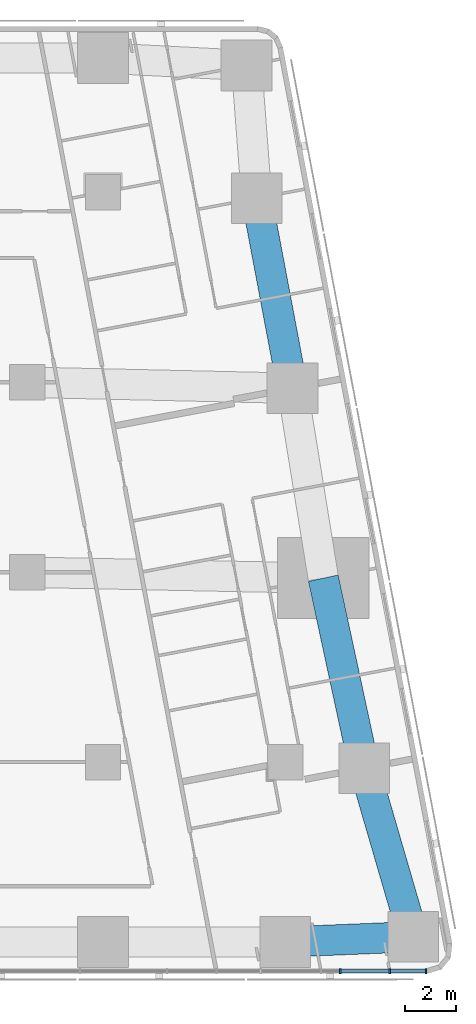
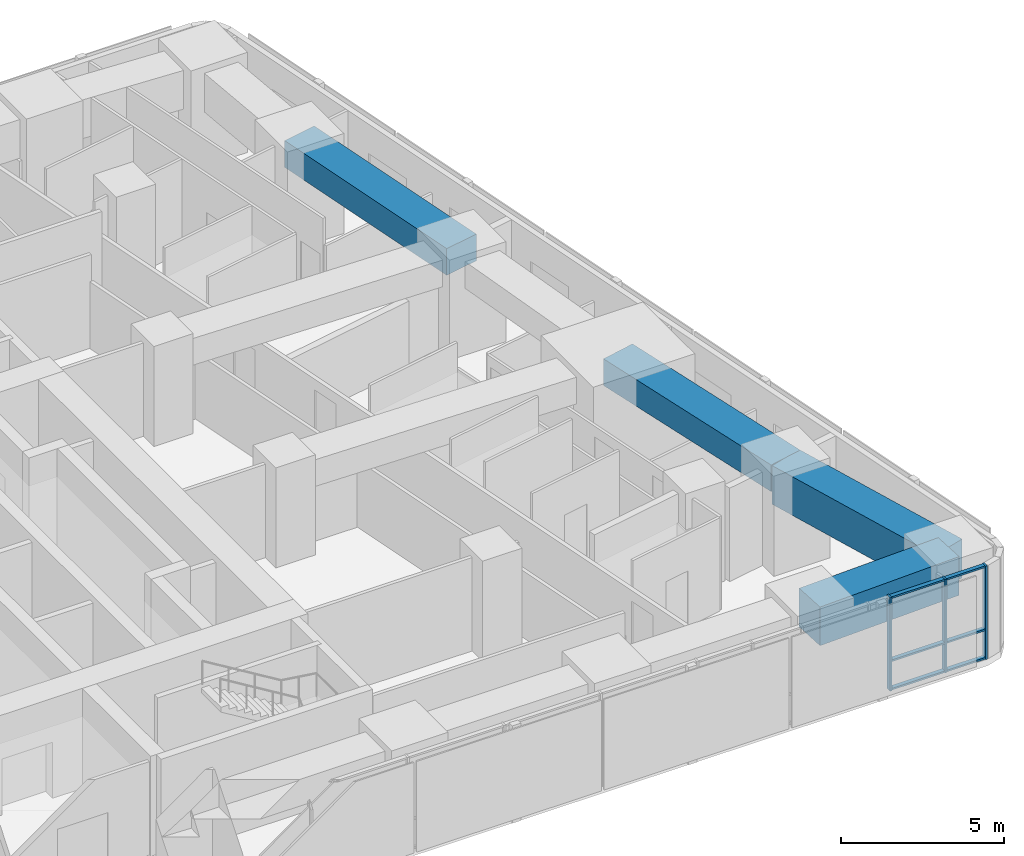
# One storey, part 3 of 11: 9 members, 4 beams, 1 element without a shape of its own.
"""IFC4 building model written with IfcOpenShell, lengths in metres."""

import ifcopenshell
import ifcopenshell.guid

model = None  # the IFC model being written
_history = None  # IfcOwnerHistory: only IFC2X3 demands one
_inside = {}  # id of a spatial element -> (the spatial element, [elements in it])
_under = {}  # id of a project, library or spatial element -> (it, [spatial elements below it])
_declared = {}  # id of a project -> (the project, [libraries it declares])
_typed = {}  # id of a type object -> (the type object, [elements of that type])
_made_of = {}  # id of a material, layer set ... -> (it, [elements and type objects made of it])


def new_model(schema):
    """Start an empty IFC model of exactly this schema.

    Asked for "IFC4X3", IfcOpenShell would pick the latest addendum, in which some entities
    have other attributes; the version numbers below select the first issue.
    IFC2X3 requires an IfcOwnerHistory on every rooted entity: one is made here for all.
    """
    global model, _history
    if schema == "IFC4X3":
        model = ifcopenshell.file(schema_version=(4, 3, 0, 0))
    else:
        model = ifcopenshell.file(schema=schema)
    _inside.clear()
    _under.clear()
    _declared.clear()
    _typed.clear()
    _made_of.clear()
    _history = None
    if model.schema == "IFC2X3":
        org = make("IfcOrganization", Name="unknown")
        user = make(
            "IfcPersonAndOrganization",
            ThePerson=make("IfcPerson", FamilyName="unknown"),
            TheOrganization=org,
        )
        app = make(
            "IfcApplication",
            ApplicationDeveloper=org,
            Version="unknown",
            ApplicationFullName="unknown",
            ApplicationIdentifier="unknown",
        )
        _history = make(
            "IfcOwnerHistory",
            OwningUser=user,
            OwningApplication=app,
            ChangeAction="ADDED",
            CreationDate=0,
        )
    return model


def make(cls, **values):
    """One entity of the class cls with the attributes given. An attribute that is None is left unset."""
    return model.create_entity(
        cls, **{name: value for name, value in values.items() if value is not None}
    )


def rooted(cls, **values):
    """An entity with a GlobalId (a new one), such as an element, a storey or a relation."""
    return make(cls, GlobalId=ifcopenshell.guid.new(), OwnerHistory=_history, **values)


def si_unit(unit_type, name, prefix=None):
    """IfcSIUnit, for example si_unit("LENGTHUNIT", "METRE", prefix="MILLI")."""
    return make("IfcSIUnit", UnitType=unit_type, Prefix=prefix, Name=name)


def assignment(units):
    """IfcUnitAssignment: the units of a project."""
    return None if units is None else make("IfcUnitAssignment", Units=units)


def point(xyz):
    """IfcCartesianPoint."""
    return None if xyz is None else make("IfcCartesianPoint", Coordinates=xyz)


def direction(xyz):
    """IfcDirection."""
    return None if xyz is None else make("IfcDirection", DirectionRatios=xyz)


def frame(location, z_axis=None, x_axis=None):
    """IfcAxis2Placement3D, a coordinate frame: its origin and axes. An axis left out is left unset."""
    return make(
        "IfcAxis2Placement3D",
        Location=point(location),
        Axis=direction(z_axis),
        RefDirection=direction(x_axis),
    )


def frame_2d(location, x_axis=None):
    """IfcAxis2Placement2D, a coordinate frame in the plane: its origin and x axis."""
    return make(
        "IfcAxis2Placement2D", Location=point(location), RefDirection=direction(x_axis)
    )


def origin():
    """The frame at (0, 0, 0) with its axes left unset."""
    return frame((0.0, 0.0, 0.0))


def origin_2d():
    """The frame at (0, 0) in the plane with its x axis left unset."""
    return frame_2d((0.0, 0.0))


def place(relative_to, where):
    """IfcLocalPlacement: puts the frame where relative to a parent placement (None: the world)."""
    return make(
        "IfcLocalPlacement", PlacementRelTo=relative_to, RelativePlacement=where
    )


def context(
    kind, dimensions, precision=None, world=None, true_north=None, identifier=None
):
    """IfcGeometricRepresentationContext, for example the 3D "Model" context."""
    return make(
        "IfcGeometricRepresentationContext",
        ContextIdentifier=identifier,
        ContextType=kind,
        CoordinateSpaceDimension=dimensions,
        Precision=precision,
        WorldCoordinateSystem=world,
        TrueNorth=true_north,
    )


def subcontext(parent, identifier, kind, view, scale=None):
    """IfcGeometricRepresentationSubContext, for example "Body" below "Model"."""
    return make(
        "IfcGeometricRepresentationSubContext",
        ContextIdentifier=identifier,
        ContextType=kind,
        ParentContext=parent,
        TargetScale=scale,
        TargetView=view,
    )


def project(units=None, contexts=None):
    """IfcProject with its units and contexts."""
    return rooted(
        "IfcProject",
        Name="project",
        RepresentationContexts=contexts,
        UnitsInContext=assignment(units),
    )


def spatial(cls, under=None, at=None, **own):
    """A site, building, storey or space (cls), placed at a placement, below another one or the project."""
    s = rooted(cls, ObjectPlacement=at, **own)
    if under is not None:
        _under.setdefault(under.id(), (under, []))[1].append(s)
    return s


def profile(cls, at=None, kind="AREA", **sizes):
    """A parametric profile (cls). Its sizes go by their IFC names, for example OverallWidth=200.0."""
    return make(cls, ProfileType=kind, Position=at, **sizes)


def rectangle(**sizes):
    """IfcRectangleProfileDef."""
    return profile("IfcRectangleProfileDef", **sizes)


def extrude(swept, where, along, depth):
    """IfcExtrudedAreaSolid: the profile swept, set in the frame where, extruded along a direction by depth."""
    return make(
        "IfcExtrudedAreaSolid",
        SweptArea=swept,
        Position=where,
        ExtrudedDirection=direction(along),
        Depth=depth,
    )


def shape(context_of_items, identifier, shape_type, items):
    """IfcShapeRepresentation: the items that make up one representation, for example the "Body"."""
    return make(
        "IfcShapeRepresentation",
        ContextOfItems=context_of_items,
        RepresentationIdentifier=identifier,
        RepresentationType=shape_type,
        Items=items,
    )


def material(Name=None, Category=None):
    """IfcMaterial."""
    return make("IfcMaterial", Name=Name, Category=Category)


def material_profile(
    of_material, cross_section, Name=None, Category=None, Priority=None
):
    """IfcMaterialProfile: a cross section and its material."""
    return make(
        "IfcMaterialProfile",
        Name=Name,
        Material=of_material,
        Profile=cross_section,
        Priority=Priority,
        Category=Category,
    )


def profile_set(profiles, Name=None, composite=None):
    """IfcMaterialProfileSet."""
    return make(
        "IfcMaterialProfileSet",
        Name=Name,
        MaterialProfiles=profiles,
        CompositeProfile=composite,
    )


def made_of(thing, what):
    """Note that an element or type object is made of a material, layer set ...; save() writes the relation."""
    if what is not None:
        _made_of.setdefault(what.id(), (what, []))[1].append(thing)
    return thing


def type_object(cls, material=None, **own):
    """A type object (cls), such as IfcWallType, which elements share."""
    return made_of(rooted(cls, **own), material)


def element(
    cls,
    number,
    at=None,
    inside=None,
    cuts=None,
    type_object=None,
    material=None,
    context=None,
    identifier="Body",
    shape_type=None,
    held_by="IfcProductDefinitionShape",
    body=None,
    shapes=None,
    **own,
):
    """One element of the class cls, such as IfcWall. Its Tag is "e" and its number.

    at: its placement. inside: the storey or other place that contains it. cuts: it is an
    opening in that element (IfcRelVoidsElement). A single representation is given by context,
    identifier, shape_type and body (its items); several are given by shapes. held_by: the class
    of the entity that holds the representations. save() writes the other relations.
    """
    e = rooted(cls, Tag="e%d" % number, ObjectPlacement=at, **own)
    if body is not None:
        shapes = [shape(context, identifier, shape_type, body)]
    if shapes is not None:
        e.Representation = make(held_by, Representations=shapes)
    if inside is not None:
        _inside.setdefault(inside.id(), (inside, []))[1].append(e)
    if cuts is not None:
        rooted(
            "IfcRelVoidsElement", RelatingBuildingElement=cuts, RelatedOpeningElement=e
        )
    if type_object is not None:
        _typed.setdefault(type_object.id(), (type_object, []))[1].append(e)
    return made_of(e, material)


def aggregate(whole, parts):
    """IfcRelAggregates: a whole, such as a stair, and the parts it consists of."""
    return rooted("IfcRelAggregates", RelatingObject=whole, RelatedObjects=parts)


def save(model, path):
    """Write the relations noted so far, then the file.

    IfcRelAggregates (storeys below a building ...), IfcRelContainedInSpatialStructure (elements
    in a storey), IfcRelDefinesByType, IfcRelAssociatesMaterial and IfcRelDeclares: one each for
    every whole, place, type object, material and project.
    """
    for whole, parts in _under.values():
        aggregate(whole, parts)
    for where, things in _inside.values():
        rooted(
            "IfcRelContainedInSpatialStructure",
            RelatedElements=things,
            RelatingStructure=where,
        )
    for kind, things in _typed.values():
        rooted("IfcRelDefinesByType", RelatedObjects=things, RelatingType=kind)
    for what, things in _made_of.values():
        rooted("IfcRelAssociatesMaterial", RelatedObjects=things, RelatingMaterial=what)
    for by, libraries in _declared.values():
        rooted("IfcRelDeclares", RelatingContext=by, RelatedDefinitions=libraries)
    model.write(path)


model = new_model("IFC4")

# Units and contexts
model_context = context("Model", 3, precision=1e-05, world=origin(), true_north=direction((0.0, 1.0)))
body_context = subcontext(model_context, "Body", "Model", "MODEL_VIEW")
ifc_project = project(units=[si_unit("LENGTHUNIT", "METRE"), si_unit("AREAUNIT", "SQUARE_METRE"), si_unit("VOLUMEUNIT", "CUBIC_METRE"), si_unit("PLANEANGLEUNIT", "RADIAN"), si_unit("MASSUNIT", "GRAM", prefix="KILO")], contexts=[model_context])

# Site, building, storey
site_placement = place(None, origin())
site = spatial("IfcSite", under=ifc_project, at=site_placement, CompositionType="ELEMENT")
building_placement = place(site_placement, origin())
building = spatial("IfcBuilding", under=site, at=building_placement, Name="Sheger Commons Tower", CompositionType="ELEMENT")
storey_placement = place(building_placement, frame((0.0, 0.0, 274.10009765625)))
storey = spatial("IfcBuildingStorey", under=building, at=storey_placement, Name="L70", CompositionType="ELEMENT", Elevation=274.10009765625)

# Curtain wall, members
ifc_material_1 = material(Name="Black aluminium curtain wall, dark tinted glazing", Category="aluminium")
curtain_wall_type = type_object("IfcCurtainWallType", Name="CURTAIN WALL CW5 SOUTH GALLERY", PredefinedType="USERDEFINED", material=ifc_material_1)
curtain_wall_placement = place(storey_placement, origin())
curtain_wall = element("IfcCurtainWall", 1, at=curtain_wall_placement, inside=storey, type_object=curtain_wall_type, Name="Curtain Wall Cw5 South Gallery S1 L70", ObjectType="UNITISED CURTAIN WALL", PredefinedType="USERDEFINED")
ifc_material_2 = material(Name="Black anodised aluminium", Category="aluminium")
ifc_material_profile_1 = material_profile(ifc_material_2, rectangle(XDim=0.199951171875, YDim=0.06494140625, at=origin_2d()), Name="AL 65x200")
ifc_profile_set_1 = profile_set([ifc_material_profile_1], Name="Black anodised aluminium")
member_type_1 = type_object("IfcMemberType", Name="MULLION AL 65x200", PredefinedType="MULLION", material=ifc_profile_set_1)
member_1_placement = place(storey_placement, frame((45.364990234375, 6.75, 0.0), z_axis=(0.0, 0.0, 1.0), x_axis=(0.0, 1.0, 0.0)))
member_1 = element("IfcMember", 2, at=member_1_placement, type_object=member_type_1, Name="CW5 mullion 12", PredefinedType="MULLION", context=body_context, shape_type="SweptSolid", body=[
    extrude(rectangle(XDim=0.199951171875, YDim=0.06494140625, at=origin_2d()), origin(), (0.0, 0.0, 1.0), 3.5),
])
member_2_placement = place(storey_placement, frame((47.319091796875, 6.75, 0.0), z_axis=(0.0, 0.0, 1.0), x_axis=(0.0, 1.0, 0.0)))
member_2 = element("IfcMember", 3, at=member_2_placement, type_object=member_type_1, Name="CW5 mullion 13", PredefinedType="MULLION", context=body_context, shape_type="SweptSolid", body=[
    extrude(rectangle(XDim=0.199951171875, YDim=0.06494140625, at=origin_2d()), origin(), (0.0, 0.0, 1.0), 3.5),
])
member_3_placement = place(storey_placement, frame((48.75439453125, 6.75, 0.0), z_axis=(0.0, 0.0, 1.0), x_axis=(0.0, 1.0, 0.0)))
member_3 = element("IfcMember", 4, at=member_3_placement, type_object=member_type_1, Name="CW5 mullion 14", PredefinedType="MULLION", context=body_context, shape_type="SweptSolid", body=[
    extrude(rectangle(XDim=0.199951171875, YDim=0.06494140625, at=origin_2d()), origin(), (0.0, 0.0, 1.0), 3.5),
])

# Beams
ifc_material_3 = material(Name="Concrete C50/60", Category="concrete")
ifc_material_profile_2 = material_profile(ifc_material_3, rectangle(XDim=1.199951171875, YDim=1.0, at=origin_2d()), Name="RC 1200x1000")
ifc_profile_set_2 = profile_set([ifc_material_profile_2], Name="Concrete C50/60")
beam_type_1 = type_object("IfcBeamType", Name="SPANDREL RC 1200x1000", PredefinedType="SPANDREL", material=ifc_profile_set_2)
beam_1_placement = place(storey_placement, frame((46.31396484375, 14.762939453125, 3.0), z_axis=(-0.210750229323, 0.977539943348, 0.0), x_axis=(-0.977539943348, -0.210750229323, 0.0)))
element("IfcBeam", 5, at=beam_1_placement, inside=storey, type_object=beam_type_1, Name="Beam E/C-E/D under L71", PredefinedType="SPANDREL", context=body_context, shape_type="SweptSolid", body=[
    extrude(rectangle(XDim=1.199951171875, YDim=1.0, at=origin_2d()), origin(), (0.0, 0.0, 1.0), 7.67236328125),
])
beam_2_placement = place(storey_placement, frame((43.47998046875, 29.762939453125, 3.0), z_axis=(-0.18552441405, 0.982639655108, 0.0), x_axis=(-0.982639655108, -0.18552441405, 0.0)))
element("IfcBeam", 6, at=beam_2_placement, inside=storey, type_object=beam_type_1, Name="Beam E/E-E/F under L71", PredefinedType="SPANDREL", context=body_context, shape_type="SweptSolid", body=[
    extrude(rectangle(XDim=1.199951171875, YDim=1.0, at=origin_2d()), origin(), (0.0, 0.0, 1.0), 7.632568359375),
])
ifc_material_4 = material(Name="Concrete C50/60", Category="concrete")
ifc_material_profile_3 = material_profile(ifc_material_4, rectangle(XDim=1.199951171875, YDim=1.449951171875, at=origin_2d()), Name="RC 1200x1450")
ifc_profile_set_3 = profile_set([ifc_material_profile_3], Name="Concrete C50/60")
beam_type_2 = type_object("IfcBeamType", Name="SPANDREL RC 1200x1450", PredefinedType="SPANDREL", material=ifc_profile_set_3)
beam_3_placement = place(storey_placement, frame((43.199951171875, 7.89990234375, 2.77490234375), z_axis=(0.999161374218, 0.040945674641, 0.0), x_axis=(-0.040945674641, 0.999161374218, 0.0)))
element("IfcBeam", 7, at=beam_3_placement, inside=storey, type_object=beam_type_2, Name="Beam 7/B-E/B under L71", PredefinedType="SPANDREL", context=body_context, shape_type="SweptSolid", body=[
    extrude(rectangle(XDim=1.199951171875, YDim=1.449951171875, at=origin_2d()), origin(), (0.0, 0.0, 1.0), 5.05615234375),
])
beam_4_placement = place(storey_placement, frame((48.251953125, 8.10693359375, 2.77490234375), z_axis=(-0.279555048455, 0.960129665662, 0.0), x_axis=(-0.960129665662, -0.279555048455, 0.0)))
element("IfcBeam", 8, at=beam_4_placement, inside=storey, type_object=beam_type_2, Name="Beam E/B-E/C under L71", PredefinedType="SPANDREL", context=body_context, shape_type="SweptSolid", body=[
    extrude(rectangle(XDim=1.199951171875, YDim=1.449951171875, at=origin_2d()), origin(), (0.0, 0.0, 1.0), 6.932373046875),
])

# Member
ifc_material_5 = material(Name="Black anodised aluminium", Category="aluminium")
ifc_material_profile_4 = material_profile(ifc_material_5, rectangle(XDim=0.14990234375, YDim=0.06494140625, at=origin_2d()), Name="AL 65x150")
ifc_profile_set_4 = profile_set([ifc_material_profile_4], Name="Black anodised aluminium")
member_type_2 = type_object("IfcMemberType", Name="TRANSOM AL 65x150", PredefinedType="USERDEFINED", material=ifc_profile_set_4)
member_4_placement = place(storey_placement, frame((45.3974609375, 6.75, 0.032470703125), z_axis=(1.0, 0.0, 0.0), x_axis=(0.0, 1.0, 0.0)))
member_4 = element("IfcMember", 9, at=member_4_placement, type_object=member_type_2, Name="CW5 transom 12.1", ObjectType="TRANSOM", PredefinedType="USERDEFINED", context=body_context, shape_type="SweptSolid", body=[
    extrude(rectangle(XDim=0.14990234375, YDim=0.06494140625, at=origin_2d()), origin(), (0.0, 0.0, 1.0), 1.88916015625),
])

member_5_placement = place(storey_placement, frame((45.3974609375, 6.75, 1.099853515625), z_axis=(1.0, 0.0, 0.0), x_axis=(0.0, 1.0, 0.0)))
member_5 = element("IfcMember", 10, at=member_5_placement, type_object=member_type_2, Name="CW5 transom 12.2", ObjectType="TRANSOM", PredefinedType="USERDEFINED", context=body_context, shape_type="SweptSolid", body=[
    extrude(rectangle(XDim=0.14990234375, YDim=0.06494140625, at=origin_2d()), origin(), (0.0, 0.0, 1.0), 1.88916015625),
])

member_6_placement = place(storey_placement, frame((45.3974609375, 6.75, 3.46728515625), z_axis=(1.0, 0.0, 0.0), x_axis=(0.0, 1.0, 0.0)))
member_6 = element("IfcMember", 11, at=member_6_placement, type_object=member_type_2, Name="CW5 transom 12.3", ObjectType="TRANSOM", PredefinedType="USERDEFINED", context=body_context, shape_type="SweptSolid", body=[
    extrude(rectangle(XDim=0.14990234375, YDim=0.06494140625, at=origin_2d()), origin(), (0.0, 0.0, 1.0), 1.88916015625),
])

member_7_placement = place(storey_placement, frame((47.3515625, 6.75, 0.032470703125), z_axis=(1.0, 0.0, 0.0), x_axis=(0.0, 1.0, 0.0)))
member_7 = element("IfcMember", 12, at=member_7_placement, type_object=member_type_2, Name="CW5 transom 13.1", ObjectType="TRANSOM", PredefinedType="USERDEFINED", context=body_context, shape_type="SweptSolid", body=[
    extrude(rectangle(XDim=0.14990234375, YDim=0.06494140625, at=origin_2d()), origin(), (0.0, 0.0, 1.0), 1.370361328125),
])

member_8_placement = place(storey_placement, frame((47.3515625, 6.75, 1.099853515625), z_axis=(1.0, 0.0, 0.0), x_axis=(0.0, 1.0, 0.0)))
member_8 = element("IfcMember", 13, at=member_8_placement, type_object=member_type_2, Name="CW5 transom 13.2", ObjectType="TRANSOM", PredefinedType="USERDEFINED", context=body_context, shape_type="SweptSolid", body=[
    extrude(rectangle(XDim=0.14990234375, YDim=0.06494140625, at=origin_2d()), origin(), (0.0, 0.0, 1.0), 1.370361328125),
])

member_9_placement = place(storey_placement, frame((47.3515625, 6.75, 3.46728515625), z_axis=(1.0, 0.0, 0.0), x_axis=(0.0, 1.0, 0.0)))
member_9 = element("IfcMember", 14, at=member_9_placement, type_object=member_type_2, Name="CW5 transom 13.3", ObjectType="TRANSOM", PredefinedType="USERDEFINED", context=body_context, shape_type="SweptSolid", body=[
    extrude(rectangle(XDim=0.14990234375, YDim=0.06494140625, at=origin_2d()), origin(), (0.0, 0.0, 1.0), 1.370361328125),
])

aggregate(curtain_wall, [member_1, member_2, member_3, member_4, member_5, member_6, member_7, member_8, member_9])

save(model, "model.ifc")
